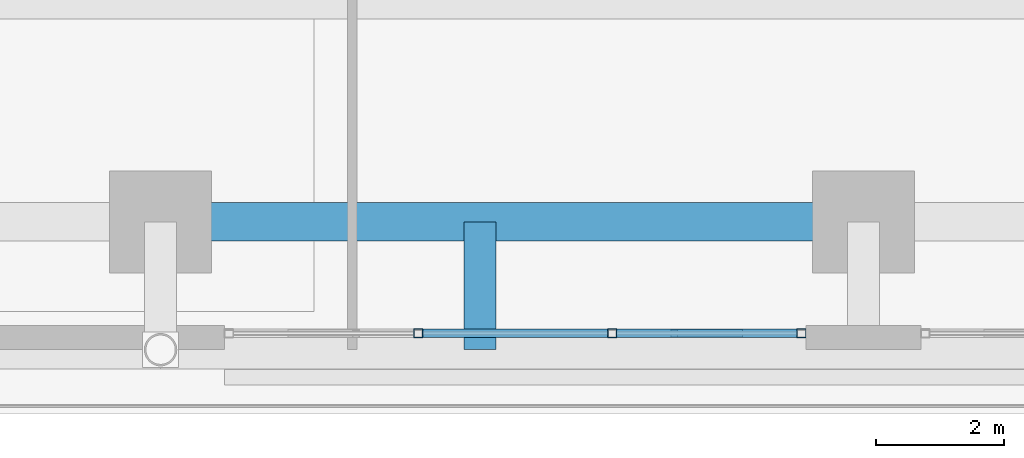
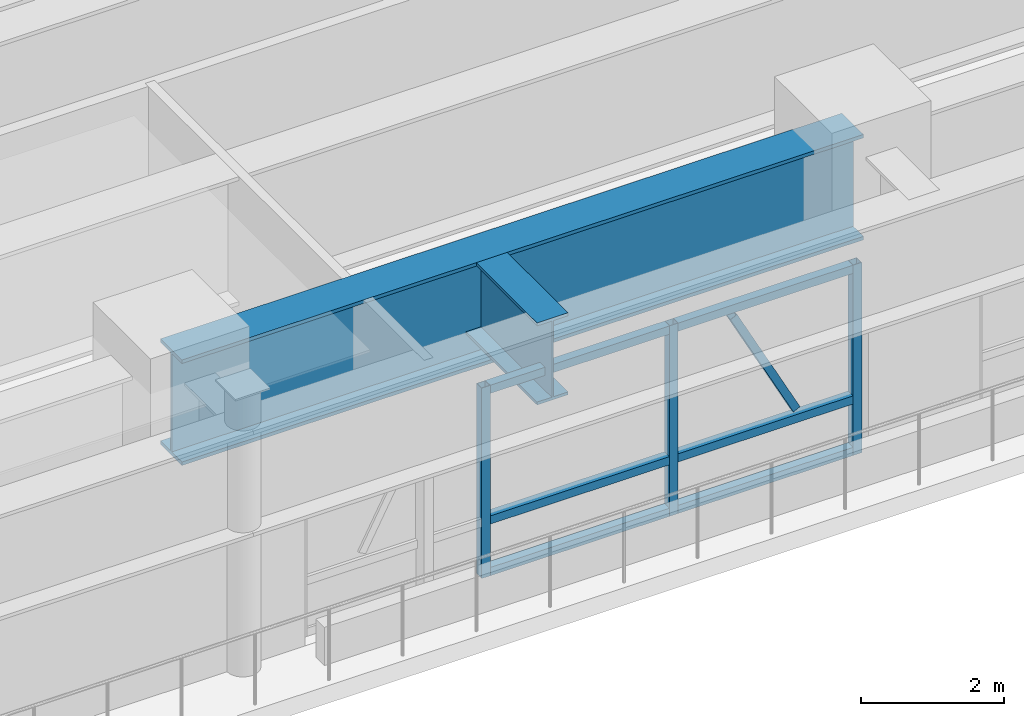
# One storey, part 9 of 35: 10 members, 2 beams, 1 element without a shape of its own.
"""IFC4 building model written with IfcOpenShell, lengths in metres."""

from ifc_helpers import new_model, si_unit, direction, frame, origin, origin_2d, place, context, subcontext, project, spatial, hollow_rectangle, i_section, extrude, source, transform, mapped, material, material_profile, profile_set, type_object, element, aggregate, save


model = new_model("IFC4")

# Units and contexts
model_context = context("Model", 3, precision=1e-05, world=origin(), true_north=direction((0.0, 1.0)))
body_context = subcontext(model_context, "Body", "Model", "MODEL_VIEW")
ifc_project = project(units=[si_unit("LENGTHUNIT", "METRE"), si_unit("AREAUNIT", "SQUARE_METRE"), si_unit("VOLUMEUNIT", "CUBIC_METRE"), si_unit("PLANEANGLEUNIT", "RADIAN"), si_unit("MASSUNIT", "GRAM", prefix="KILO")], contexts=[model_context])

# Site, building, storey
site_placement = place(None, origin())
site = spatial("IfcSite", under=ifc_project, at=site_placement, CompositionType="ELEMENT")
building_placement = place(site_placement, origin())
building = spatial("IfcBuilding", under=site, at=building_placement, Name="Khorayat Bourse Tower", CompositionType="ELEMENT")
storey_placement = place(building_placement, frame((0.0, 0.0, 22.199951171875)))
storey = spatial("IfcBuildingStorey", under=building, at=storey_placement, Name="L04", CompositionType="ELEMENT", Elevation=22.199951171875)

# Beams
ifc_material_1 = material(Name="Steel EN 10025-4 S460M", Category="steel")
ifc_material_profile_1 = material_profile(ifc_material_1, i_section(OverallWidth=0.60009765625, OverallDepth=1.800048828125, WebThickness=0.031982421875, FlangeThickness=0.06005859375, at=origin_2d()), Name="PG 1800x600x32x60")
ifc_profile_set_1 = profile_set([ifc_material_profile_1], Name="Steel EN 10025-4 S460M")
beam_type_1 = type_object("IfcBeamType", Name="BM-TR-1800", PredefinedType="BEAM", material=ifc_profile_set_1)
shared_shape_1 = source(origin(), body_context, "Body", "SweptSolid", [
    extrude(i_section(OverallWidth=0.60009765625, OverallDepth=1.800048828125, WebThickness=0.031982421875, FlangeThickness=0.06005859375, at=origin_2d()), origin(), (0.0, 0.0, 1.0), 11.0),
])
beam_1_placement = place(storey_placement, frame((-11.0, -32.0, 3.300048828125), z_axis=(1.0, 0.0, 0.0), x_axis=(0.0, 1.0, 0.0)))
element("IfcBeam", 1, at=beam_1_placement, inside=storey, type_object=beam_type_1, Name="L04 BM-TR-1800 BM-L04-PGX-034", PredefinedType="BEAM", context=body_context, shape_type="MappedRepresentation", body=[
    mapped(shared_shape_1, transform((0.0, 0.0, 0.0), scale=1.0)),
])
ifc_material_profile_2 = material_profile(ifc_material_1, i_section(OverallWidth=0.5, OverallDepth=1.39990234375, WebThickness=0.02490234375, FlangeThickness=0.050048828125, at=origin_2d()), Name="PG 1400x500x25x50")
ifc_profile_set_2 = profile_set([ifc_material_profile_2], Name="Steel EN 10025-4 S460M")
beam_type_2 = type_object("IfcBeamType", Name="BM-TR-1400", PredefinedType="BEAM", material=ifc_profile_set_2)
shared_shape_2 = source(origin(), body_context, "Body", "SweptSolid", [
    extrude(i_section(OverallWidth=0.5, OverallDepth=1.39990234375, WebThickness=0.02490234375, FlangeThickness=0.050048828125, at=origin_2d()), origin(), (0.0, 0.0, 1.0), 2.0),
])
beam_2_placement = place(storey_placement, frame((-6.0, -34.0, 3.5), z_axis=(0.0, 1.0, 0.0), x_axis=(-1.0, 0.0, 0.0)))
element("IfcBeam", 2, at=beam_2_placement, inside=storey, type_object=beam_type_2, Name="L04 BM-TR-1400 BM-L04-PGY-127", PredefinedType="BEAM", context=body_context, shape_type="MappedRepresentation", body=[
    mapped(shared_shape_2, transform((0.0, 0.0, 0.0), scale=1.0)),
])

# Curtain wall, members
ifc_material_2 = material(Name="Aluminium EN AW-6063 T6", Category="aluminium")
curtain_wall_type = type_object("IfcCurtainWallType", Name="CW-SYS-01", PredefinedType="NOTDEFINED", material=ifc_material_2)
curtain_wall_placement = place(storey_placement, origin())
curtain_wall = element("IfcCurtainWall", 3, at=curtain_wall_placement, inside=storey, type_object=curtain_wall_type, Name="L04 Curtain Wall CW-L04-SW", PredefinedType="NOTDEFINED")
ifc_material_profile_3 = material_profile(ifc_material_2, hollow_rectangle(XDim=0.139892578125, YDim=0.139892578125, WallThickness=0.006103515625, at=origin_2d()), Name="ALU 140x140x6")
ifc_profile_set_3 = profile_set([ifc_material_profile_3], Name="Aluminium EN AW-6063 T6")
member_type_1 = type_object("IfcMemberType", Name="CWT-HORZ-140", PredefinedType="USERDEFINED", material=ifc_profile_set_3)
shared_shape_3 = source(origin(), body_context, "Body", "SweptSolid", [
    extrude(hollow_rectangle(XDim=0.139892578125, YDim=0.139892578125, WallThickness=0.006103515625, at=origin_2d()), origin(), (0.0, 0.0, 1.0), 2.893310546875),
])
member_1_placement = place(storey_placement, frame((-6.896728515625, -33.742919921875, 0.070068359375), z_axis=(1.0, 0.0, 0.0), x_axis=(0.0, 1.0, 0.0)))
member_1 = element("IfcMember", 4, at=member_1_placement, type_object=member_type_1, Name="CW-L04-SW Horizontal Transom 2-1", ObjectType="TRANSOM", PredefinedType="USERDEFINED", context=body_context, shape_type="MappedRepresentation", body=[
    mapped(shared_shape_3, transform((0.0, 0.0, 0.0), scale=1.0)),
])
member_2_placement = place(storey_placement, frame((-6.896728515625, -33.742919921875, 0.949951171875), z_axis=(1.0, 0.0, 0.0), x_axis=(0.0, 1.0, 0.0)))
member_2 = element("IfcMember", 5, at=member_2_placement, type_object=member_type_1, Name="CW-L04-SW Horizontal Transom 2-2", ObjectType="TRANSOM", PredefinedType="USERDEFINED", context=body_context, shape_type="MappedRepresentation", body=[
    mapped(shared_shape_3, transform((0.0, 0.0, 0.0), scale=1.0)),
])
member_3_placement = place(storey_placement, frame((-6.896728515625, -33.742919921875, 3.179931640625), z_axis=(1.0, 0.0, 0.0), x_axis=(0.0, 1.0, 0.0)))
member_3 = element("IfcMember", 6, at=member_3_placement, type_object=member_type_1, Name="CW-L04-SW Horizontal Transom 2-3", ObjectType="TRANSOM", PredefinedType="USERDEFINED", context=body_context, shape_type="MappedRepresentation", body=[
    mapped(shared_shape_3, transform((0.0, 0.0, 0.0), scale=1.0)),
])
shared_shape_4 = source(origin(), body_context, "Body", "SweptSolid", [
    extrude(hollow_rectangle(XDim=0.139892578125, YDim=0.139892578125, WallThickness=0.006103515625, at=origin_2d()), origin(), (0.0, 0.0, 1.0), 2.8232421875),
])
member_4_placement = place(storey_placement, frame((-3.86328125, -33.742919921875, 0.070068359375), z_axis=(1.0, 0.0, 0.0), x_axis=(0.0, 1.0, 0.0)))
member_4 = element("IfcMember", 7, at=member_4_placement, type_object=member_type_1, Name="CW-L04-SW Horizontal Transom 3-1", ObjectType="TRANSOM", PredefinedType="USERDEFINED", context=body_context, shape_type="MappedRepresentation", body=[
    mapped(shared_shape_4, transform((0.0, 0.0, 0.0), scale=1.0)),
])
member_5_placement = place(storey_placement, frame((-3.86328125, -33.742919921875, 0.949951171875), z_axis=(1.0, 0.0, 0.0), x_axis=(0.0, 1.0, 0.0)))
member_5 = element("IfcMember", 8, at=member_5_placement, type_object=member_type_1, Name="CW-L04-SW Horizontal Transom 3-2", ObjectType="TRANSOM", PredefinedType="USERDEFINED", context=body_context, shape_type="MappedRepresentation", body=[
    mapped(shared_shape_4, transform((0.0, 0.0, 0.0), scale=1.0)),
])
member_6_placement = place(storey_placement, frame((-3.86328125, -33.742919921875, 3.179931640625), z_axis=(1.0, 0.0, 0.0), x_axis=(0.0, 1.0, 0.0)))
member_6 = element("IfcMember", 9, at=member_6_placement, type_object=member_type_1, Name="CW-L04-SW Horizontal Transom 3-3", ObjectType="TRANSOM", PredefinedType="USERDEFINED", context=body_context, shape_type="MappedRepresentation", body=[
    mapped(shared_shape_4, transform((0.0, 0.0, 0.0), scale=1.0)),
])
ifc_material_profile_4 = material_profile(ifc_material_2, hollow_rectangle(XDim=0.139892578125, YDim=0.139892578125, WallThickness=0.006103515625, at=origin_2d()), Name="ALU 140x140x6")
ifc_profile_set_4 = profile_set([ifc_material_profile_4], Name="Aluminium EN AW-6063 T6")
member_type_2 = type_object("IfcMemberType", Name="CWM-VERT-140", PredefinedType="MULLION", material=ifc_profile_set_4)
shared_shape_5 = source(origin(), body_context, "Body", "SweptSolid", [
    extrude(hollow_rectangle(XDim=0.139892578125, YDim=0.139892578125, WallThickness=0.006103515625, at=origin_2d()), origin(), (0.0, 0.0, 1.0), 3.25),
])
member_7_placement = place(storey_placement, frame((-6.966552734375, -33.742919921875, 0.0), z_axis=(0.0, 0.0, 1.0), x_axis=(0.0, 1.0, 0.0)))
member_7 = element("IfcMember", 10, at=member_7_placement, type_object=member_type_2, Name="CW-L04-SW Vertical Mullion 2", PredefinedType="MULLION", context=body_context, shape_type="MappedRepresentation", body=[
    mapped(shared_shape_5, transform((0.0, 0.0, 0.0), scale=1.0)),
])
member_8_placement = place(storey_placement, frame((-3.933349609375, -33.742919921875, 0.0), z_axis=(0.0, 0.0, 1.0), x_axis=(0.0, 1.0, 0.0)))
member_8 = element("IfcMember", 11, at=member_8_placement, type_object=member_type_2, Name="CW-L04-SW Vertical Mullion 3", PredefinedType="MULLION", context=body_context, shape_type="MappedRepresentation", body=[
    mapped(shared_shape_5, transform((0.0, 0.0, 0.0), scale=1.0)),
])
member_9_placement = place(storey_placement, frame((-0.969970703125, -33.742919921875, 0.0), z_axis=(0.0, 0.0, 1.0), x_axis=(0.0, 1.0, 0.0)))
member_9 = element("IfcMember", 12, at=member_9_placement, type_object=member_type_2, Name="CW-L04-SW Vertical Mullion 4", PredefinedType="MULLION", context=body_context, shape_type="MappedRepresentation", body=[
    mapped(shared_shape_5, transform((0.0, 0.0, 0.0), scale=1.0)),
])
ifc_material_profile_5 = material_profile(ifc_material_2, hollow_rectangle(XDim=0.1201171875, YDim=0.1201171875, WallThickness=0.0048828125, at=origin_2d()), Name="ALU 120x120x5")
ifc_profile_set_5 = profile_set([ifc_material_profile_5], Name="Aluminium EN AW-6063 T6")
member_type_3 = type_object("IfcMemberType", Name="CWM-DIAG-120", PredefinedType="MULLION", material=ifc_profile_set_5)
shared_shape_6 = source(origin(), body_context, "Body", "SweptSolid", [
    extrude(hollow_rectangle(XDim=0.1201171875, YDim=0.1201171875, WallThickness=0.0048828125, at=origin_2d()), origin(), (0.0, 0.0, 1.0), 2.180908203125),
])
member_10_placement = place(storey_placement, frame((-1.94384765625, -33.742919921875, 1.10009765625), z_axis=(-0.465700293446, 0.0, 0.884942504734), x_axis=(0.0, -1.0, 0.0)))
member_10 = element("IfcMember", 13, at=member_10_placement, type_object=member_type_3, Name="CW-L04-SW Faceted Diagonal Mullion 3", PredefinedType="MULLION", context=body_context, shape_type="MappedRepresentation", body=[
    mapped(shared_shape_6, transform((0.0, 0.0, 0.0), scale=1.0)),
])
aggregate(curtain_wall, [member_7, member_8, member_9, member_1, member_2, member_3, member_4, member_5, member_6, member_10])

save(model, "model.ifc")
